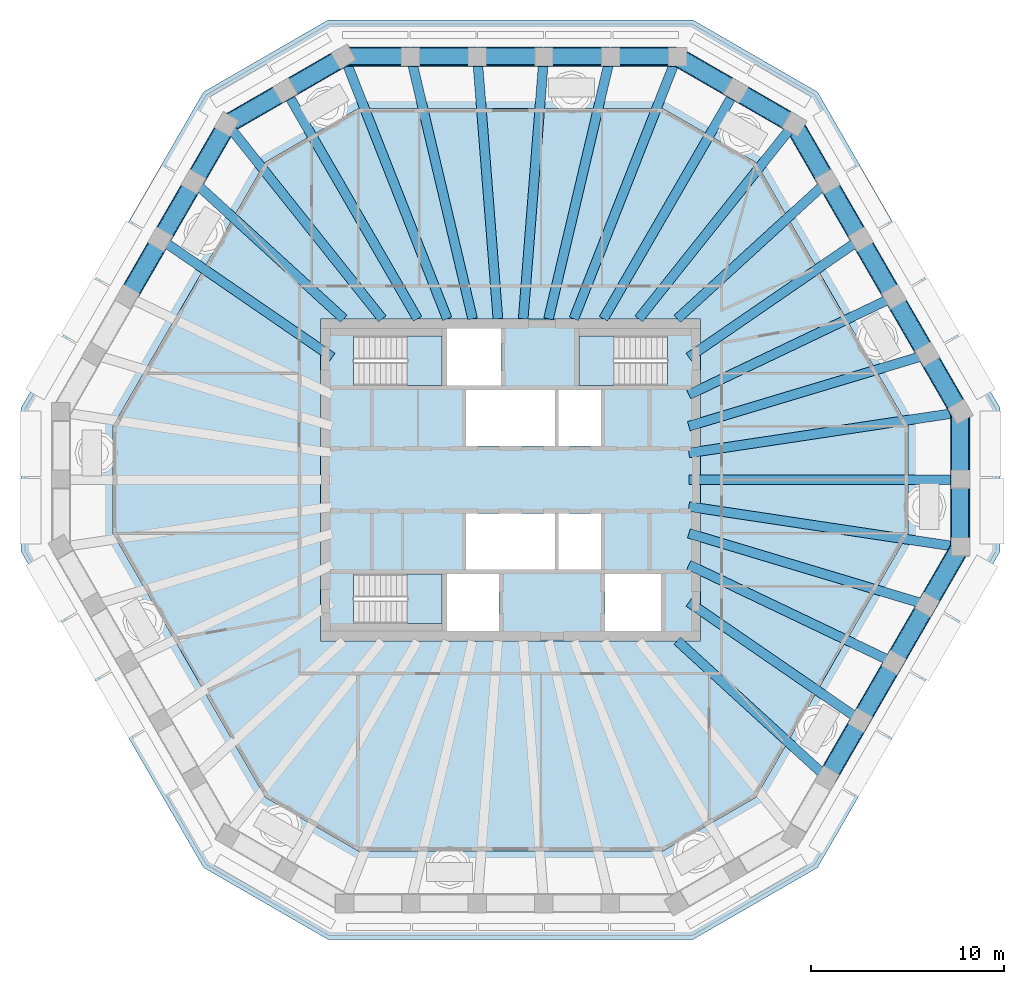
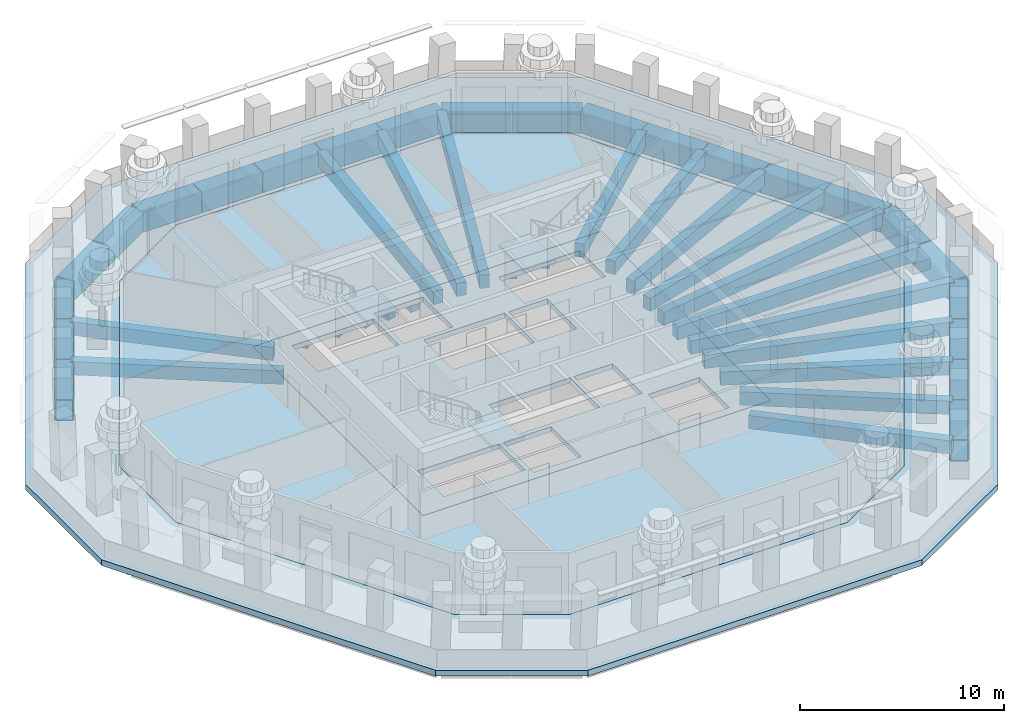
# One storey, part 2 of 13: 46 beams, 6 slabs, 3 elements without a shape of their own.
"""IFC4 building model written with IfcOpenShell, lengths in metres."""

from ifc_helpers import new_model, si_unit, direction, frame, origin, origin_2d, place, context, subcontext, project, spatial, polyline, rectangle, hollow_rectangle, outline, extrude, material, layer, layer_set, material_profile, profile_set, type_object, element, aggregate, save


model = new_model("IFC4")

# Units and contexts
model_context = context("Model", 3, precision=1e-05, world=origin(), true_north=direction((0.0, 1.0)))
body_context = subcontext(model_context, "Body", "Model", "MODEL_VIEW")
ifc_project = project(units=[si_unit("LENGTHUNIT", "METRE"), si_unit("AREAUNIT", "SQUARE_METRE"), si_unit("VOLUMEUNIT", "CUBIC_METRE"), si_unit("PLANEANGLEUNIT", "RADIAN"), si_unit("MASSUNIT", "GRAM", prefix="KILO")], contexts=[model_context])

# Site, building, storey
site_placement = place(None, origin())
site = spatial("IfcSite", under=ifc_project, at=site_placement, CompositionType="ELEMENT")
building_placement = place(site_placement, origin())
building = spatial("IfcBuilding", under=site, at=building_placement, Name="Frailejon Research Tower", CompositionType="ELEMENT")
storey_placement = place(building_placement, frame((0.0, 0.0, 263.0)))
storey = spatial("IfcBuildingStorey", under=building, at=storey_placement, Name="L57", CompositionType="ELEMENT", Elevation=263.0)

# Beams
ifc_material_1 = material(Name="Steel S355", Category="steel")
ifc_material_profile_1 = material_profile(ifc_material_1, hollow_rectangle(XDim=1.0, YDim=1.300048828125, WallThickness=0.06005859375, InnerFilletRadius=0.06005859375, OuterFilletRadius=0.1201171875, at=origin_2d()), Name="Belt chord")
ifc_profile_set_1 = profile_set([ifc_material_profile_1], Name="Steel S355")
beam_type_1 = type_object("IfcBeamType", Name="Belt chord", PredefinedType="BEAM", material=ifc_profile_set_1)
for number, where, z_axis, x_axis, name in (
    (1, (23.32373046875, -3.48193359375, -1.0), (0.0, 1.0, 0.0), (-1.0, 0.0, 0.0), "Belt chord"),
    (2, (23.32373046875, 0.02001953125, -1.0), (0.0, 1.0, 0.0), (-1.0, 0.0, 0.0), "Belt chord"),
):
    element("IfcBeam", number, at=place(storey_placement, frame(where, z_axis=z_axis, x_axis=x_axis)), inside=storey, type_object=beam_type_1, Name=name, PredefinedType="BEAM", context=body_context, shape_type="SweptSolid", body=[
        extrude(hollow_rectangle(XDim=1.0, YDim=1.300048828125, WallThickness=0.06005859375, InnerFilletRadius=0.06005859375, OuterFilletRadius=0.1201171875, at=origin_2d()), origin(), (0.0, 0.0, 1.0), 3.4619140625),
    ])
for number, where, z_axis, x_axis, name in (
    (3, (23.313720703125, 3.519287109375, -1.0), (-0.499995010897, 0.866028284225, 0.0), (-0.866028284225, -0.499995010897, 0.0), "Belt chord"),
    (4, (21.587890625, 6.508544921875, -1.0), (-0.499995010897, 0.866028284225, 0.0), (-0.866028284225, -0.499995010897, 0.0), "Belt chord"),
):
    element("IfcBeam", number, at=place(storey_placement, frame(where, z_axis=z_axis, x_axis=x_axis)), inside=storey, type_object=beam_type_1, Name=name, PredefinedType="BEAM", context=body_context, shape_type="SweptSolid", body=[
        extrude(hollow_rectangle(XDim=1.0, YDim=1.300048828125, WallThickness=0.06005859375, InnerFilletRadius=0.06005859375, OuterFilletRadius=0.1201171875, at=origin_2d()), origin(), (0.0, 0.0, 1.0), 3.41162109375),
    ])
beam_1_placement = place(storey_placement, frame((19.8623046875, 9.497802734375, -1.0), z_axis=(-0.500048678942, 0.86599729716, 0.0), x_axis=(-0.86599729716, -0.500048678942, 0.0)))
element("IfcBeam", 5, at=beam_1_placement, inside=storey, type_object=beam_type_1, Name="Belt chord", PredefinedType="BEAM", context=body_context, shape_type="SweptSolid", body=[
    extrude(hollow_rectangle(XDim=1.0, YDim=1.300048828125, WallThickness=0.06005859375, InnerFilletRadius=0.06005859375, OuterFilletRadius=0.1201171875, at=origin_2d()), origin(), (0.0, 0.0, 1.0), 3.411865234375),
])
for number, where, z_axis, x_axis, name in (
    (6, (18.13623046875, 12.48681640625, -1.0), (-0.499995010897, 0.866028284225, 0.0), (-0.866028284225, -0.499995010897, 0.0), "Belt chord"),
    (7, (16.410400390625, 15.47607421875, -1.0), (-0.499995010897, 0.866028284225, 0.0), (-0.866028284225, -0.499995010897, 0.0), "Belt chord"),
):
    element("IfcBeam", number, at=place(storey_placement, frame(where, z_axis=z_axis, x_axis=x_axis)), inside=storey, type_object=beam_type_1, Name=name, PredefinedType="BEAM", context=body_context, shape_type="SweptSolid", body=[
        extrude(hollow_rectangle(XDim=1.0, YDim=1.300048828125, WallThickness=0.06005859375, InnerFilletRadius=0.06005859375, OuterFilletRadius=0.1201171875, at=origin_2d()), origin(), (0.0, 0.0, 1.0), 3.41162109375),
    ])
beam_2_placement = place(storey_placement, frame((14.677490234375, 18.4580078125, -1.0), z_axis=(-0.866038798027, 0.499976799773, 0.0), x_axis=(-0.499976799773, -0.866038798027, 0.0)))
element("IfcBeam", 8, at=beam_2_placement, inside=storey, type_object=beam_type_1, Name="Belt chord", PredefinedType="BEAM", context=body_context, shape_type="SweptSolid", body=[
    extrude(hollow_rectangle(XDim=1.0, YDim=1.300048828125, WallThickness=0.06005859375, InnerFilletRadius=0.06005859375, OuterFilletRadius=0.1201171875, at=origin_2d()), origin(), (0.0, 0.0, 1.0), 3.462158203125),
])
beam_3_placement = place(storey_placement, frame((11.64453125, 20.208984375, -1.0), z_axis=(-0.866021168401, 0.500007335828, 0.0), x_axis=(-0.500007335828, -0.866021168401, 0.0)))
element("IfcBeam", 9, at=beam_3_placement, inside=storey, type_object=beam_type_1, Name="Belt chord", PredefinedType="BEAM", context=body_context, shape_type="SweptSolid", body=[
    extrude(hollow_rectangle(XDim=1.0, YDim=1.300048828125, WallThickness=0.06005859375, InnerFilletRadius=0.06005859375, OuterFilletRadius=0.1201171875, at=origin_2d()), origin(), (0.0, 0.0, 1.0), 3.4619140625),
])
for number, where, z_axis, x_axis, name in (
    (10, (8.609130859375, 21.949951171875, -1.0), (-1.0, 0.0, 0.0), (0.0, -1.0, 0.0), "Belt chord"),
    (11, (5.157470703125, 21.949951171875, -1.0), (-1.0, 0.0, 0.0), (0.0, -1.0, 0.0), "Belt chord"),
    (12, (1.705810546875, 21.949951171875, -1.0), (-1.0, 0.0, 0.0), (0.0, -1.0, 0.0), "Belt chord"),
    (13, (-1.745849609375, 21.949951171875, -1.0), (-1.0, 0.0, 0.0), (0.0, -1.0, 0.0), "Belt chord"),
    (14, (-5.197509765625, 21.949951171875, -1.0), (-1.0, 0.0, 0.0), (0.0, -1.0, 0.0), "Belt chord"),
):
    element("IfcBeam", number, at=place(storey_placement, frame(where, z_axis=z_axis, x_axis=x_axis)), inside=storey, type_object=beam_type_1, Name=name, PredefinedType="BEAM", context=body_context, shape_type="SweptSolid", body=[
        extrude(hollow_rectangle(XDim=1.0, YDim=1.300048828125, WallThickness=0.06005859375, InnerFilletRadius=0.06005859375, OuterFilletRadius=0.1201171875, at=origin_2d()), origin(), (0.0, 0.0, 1.0), 3.41162109375),
    ])
beam_4_placement = place(storey_placement, frame((-8.646484375, 21.93994140625, -1.0), z_axis=(-0.866021168401, -0.500007335828, 0.0), x_axis=(0.500007335828, -0.866021168401, 0.0)))
element("IfcBeam", 15, at=beam_4_placement, inside=storey, type_object=beam_type_1, Name="Belt chord", PredefinedType="BEAM", context=body_context, shape_type="SweptSolid", body=[
    extrude(hollow_rectangle(XDim=1.0, YDim=1.300048828125, WallThickness=0.06005859375, InnerFilletRadius=0.06005859375, OuterFilletRadius=0.1201171875, at=origin_2d()), origin(), (0.0, 0.0, 1.0), 3.4619140625),
])
beam_5_placement = place(storey_placement, frame((-11.67919921875, 20.18896484375, -1.0), z_axis=(-0.866038798027, -0.499976799773, 0.0), x_axis=(0.499976799773, -0.866038798027, 0.0)))
element("IfcBeam", 16, at=beam_5_placement, inside=storey, type_object=beam_type_1, Name="Belt chord", PredefinedType="BEAM", context=body_context, shape_type="SweptSolid", body=[
    extrude(hollow_rectangle(XDim=1.0, YDim=1.300048828125, WallThickness=0.06005859375, InnerFilletRadius=0.06005859375, OuterFilletRadius=0.1201171875, at=origin_2d()), origin(), (0.0, 0.0, 1.0), 3.462158203125),
])
for number, where, z_axis, x_axis, name in (
    (17, (-14.70458984375, 18.4306640625, -1.0), (-0.499995010897, -0.866028284225, 0.0), (0.866028284225, -0.499995010897, 0.0), "Belt chord"),
    (18, (-16.430419921875, 15.44140625, -1.0), (-0.499995010897, -0.866028284225, 0.0), (0.866028284225, -0.499995010897, 0.0), "Belt chord"),
):
    element("IfcBeam", number, at=place(storey_placement, frame(where, z_axis=z_axis, x_axis=x_axis)), inside=storey, type_object=beam_type_1, Name=name, PredefinedType="BEAM", context=body_context, shape_type="SweptSolid", body=[
        extrude(hollow_rectangle(XDim=1.0, YDim=1.300048828125, WallThickness=0.06005859375, InnerFilletRadius=0.06005859375, OuterFilletRadius=0.1201171875, at=origin_2d()), origin(), (0.0, 0.0, 1.0), 3.41162109375),
    ])
beam_6_placement = place(storey_placement, frame((-18.15625, 12.452392578125, -1.0), z_axis=(-0.500048678942, -0.86599729716, 0.0), x_axis=(0.86599729716, -0.500048678942, 0.0)))
element("IfcBeam", 19, at=beam_6_placement, inside=storey, type_object=beam_type_1, Name="Belt chord", PredefinedType="BEAM", context=body_context, shape_type="SweptSolid", body=[
    extrude(hollow_rectangle(XDim=1.0, YDim=1.300048828125, WallThickness=0.06005859375, InnerFilletRadius=0.06005859375, OuterFilletRadius=0.1201171875, at=origin_2d()), origin(), (0.0, 0.0, 1.0), 3.411865234375),
])
beam_7_placement = place(storey_placement, frame((16.430419921875, -15.44140625, -1.0), z_axis=(0.499995010897, 0.866028284225, 0.0), x_axis=(-0.866028284225, 0.499995010897, 0.0)))
element("IfcBeam", 20, at=beam_7_placement, inside=storey, type_object=beam_type_1, Name="Belt chord", PredefinedType="BEAM", context=body_context, shape_type="SweptSolid", body=[
    extrude(hollow_rectangle(XDim=1.0, YDim=1.300048828125, WallThickness=0.06005859375, InnerFilletRadius=0.06005859375, OuterFilletRadius=0.1201171875, at=origin_2d()), origin(), (0.0, 0.0, 1.0), 3.41162109375),
])
beam_8_placement = place(storey_placement, frame((18.15625, -12.452392578125, -1.0), z_axis=(0.500048678942, 0.86599729716, 0.0), x_axis=(-0.86599729716, 0.500048678942, 0.0)))
element("IfcBeam", 21, at=beam_8_placement, inside=storey, type_object=beam_type_1, Name="Belt chord", PredefinedType="BEAM", context=body_context, shape_type="SweptSolid", body=[
    extrude(hollow_rectangle(XDim=1.0, YDim=1.300048828125, WallThickness=0.06005859375, InnerFilletRadius=0.06005859375, OuterFilletRadius=0.1201171875, at=origin_2d()), origin(), (0.0, 0.0, 1.0), 3.411865234375),
])
for number, where, z_axis, x_axis, name in (
    (22, (19.882080078125, -9.463134765625, -1.0), (0.499995010897, 0.866028284225, 0.0), (-0.866028284225, 0.499995010897, 0.0), "Belt chord"),
    (23, (21.60791015625, -6.473876953125, -1.0), (0.499995010897, 0.866028284225, 0.0), (-0.866028284225, 0.499995010897, 0.0), "Belt chord"),
):
    element("IfcBeam", number, at=place(storey_placement, frame(where, z_axis=z_axis, x_axis=x_axis)), inside=storey, type_object=beam_type_1, Name=name, PredefinedType="BEAM", context=body_context, shape_type="SweptSolid", body=[
        extrude(hollow_rectangle(XDim=1.0, YDim=1.300048828125, WallThickness=0.06005859375, InnerFilletRadius=0.06005859375, OuterFilletRadius=0.1201171875, at=origin_2d()), origin(), (0.0, 0.0, 1.0), 3.41162109375),
    ])
ifc_material_2 = material(Name="Concrete C60/75", Category="concrete")
ifc_material_profile_2 = material_profile(ifc_material_2, rectangle(XDim=0.5, YDim=0.800048828125, at=origin_2d()), Name="Girder 500x800")
ifc_profile_set_2 = profile_set([ifc_material_profile_2], Name="Concrete C60/75")
beam_type_2 = type_object("IfcBeamType", Name="Girder 500x800", PredefinedType="BEAM", material=ifc_profile_set_2)
beam_9_placement = place(storey_placement, frame((22.9970703125, -3.452880859375, -0.699951171875), z_axis=(-0.988916247685, 0.148474425622, 0.0), x_axis=(-0.148474425622, -0.988916247685, 0.0)))
element("IfcBeam", 24, at=beam_9_placement, inside=storey, type_object=beam_type_2, Name="Girder 500x800", PredefinedType="BEAM", context=body_context, shape_type="SweptSolid", body=[
    extrude(rectangle(XDim=0.5, YDim=0.800048828125, at=origin_2d()), origin(), (0.0, 0.0, 1.0), 13.901123046875),
])
beam_10_placement = place(storey_placement, frame((22.998779296875, 0.0, -0.699951171875), z_axis=(-1.0, 0.0, 0.0), x_axis=(0.0, -1.0, 0.0)))
element("IfcBeam", 25, at=beam_10_placement, inside=storey, type_object=beam_type_2, Name="Girder 500x800", PredefinedType="BEAM", context=body_context, shape_type="SweptSolid", body=[
    extrude(rectangle(XDim=0.5, YDim=0.800048828125, at=origin_2d()), origin(), (0.0, 0.0, 1.0), 13.748779296875),
])
beam_11_placement = place(storey_placement, frame((22.96728515625, 3.448486328125, -0.699951171875), z_axis=(-0.988915428707, -0.148479880336, 0.0), x_axis=(0.148479880336, -0.988915428707, 0.0)))
element("IfcBeam", 26, at=beam_11_placement, inside=storey, type_object=beam_type_2, Name="Girder 500x800", PredefinedType="BEAM", context=body_context, shape_type="SweptSolid", body=[
    extrude(rectangle(XDim=0.5, YDim=0.800048828125, at=origin_2d()), origin(), (0.0, 0.0, 1.0), 13.87109375),
])
beam_12_placement = place(storey_placement, frame((21.2744140625, 6.393798828125, -0.699951171875), z_axis=(-0.957684883989, -0.287818802339, 0.0), x_axis=(0.287818802339, -0.957684883989, 0.0)))
element("IfcBeam", 27, at=beam_12_placement, inside=storey, type_object=beam_type_2, Name="Girder 500x800", PredefinedType="BEAM", context=body_context, shape_type="SweptSolid", body=[
    extrude(rectangle(XDim=0.5, YDim=0.800048828125, at=origin_2d()), origin(), (0.0, 0.0, 1.0), 12.5556640625),
])
beam_13_placement = place(storey_placement, frame((19.577392578125, 9.33984375, -0.699951171875), z_axis=(-0.90254832105, -0.430588583417, 0.0), x_axis=(0.430588583417, -0.90254832105, 0.0)))
element("IfcBeam", 28, at=beam_13_placement, inside=storey, type_object=beam_type_2, Name="Girder 500x800", PredefinedType="BEAM", context=body_context, shape_type="SweptSolid", body=[
    extrude(rectangle(XDim=0.5, YDim=0.800048828125, at=origin_2d()), origin(), (0.0, 0.0, 1.0), 11.4423828125),
])
beam_14_placement = place(storey_placement, frame((17.877197265625, 12.28466796875, -0.699951171875), z_axis=(-0.82416371662, -0.566351629473, 0.0), x_axis=(0.566351629473, -0.82416371662, 0.0)))
element("IfcBeam", 29, at=beam_14_placement, inside=storey, type_object=beam_type_2, Name="Girder 500x800", PredefinedType="BEAM", context=body_context, shape_type="SweptSolid", body=[
    extrude(rectangle(XDim=0.5, YDim=0.800048828125, at=origin_2d()), origin(), (0.0, 0.0, 1.0), 10.4677734375),
])
beam_15_placement = place(storey_placement, frame((16.17236328125, 15.231689453125, -0.699951171875), z_axis=(-0.737837636793, -0.674978237969, 0.0), x_axis=(0.674978237969, -0.737837636793, 0.0)))
element("IfcBeam", 30, at=beam_15_placement, inside=storey, type_object=beam_type_2, Name="Girder 500x800", PredefinedType="BEAM", context=body_context, shape_type="SweptSolid", body=[
    extrude(rectangle(XDim=0.5, YDim=0.800048828125, at=origin_2d()), origin(), (0.0, 0.0, 1.0), 10.1953125),
])
beam_16_placement = place(storey_placement, frame((14.489013671875, 18.189697265625, -0.699951171875), z_axis=(-0.623055876427, -0.782177329542, 0.0), x_axis=(0.782177329542, -0.623055876427, 0.0)))
element("IfcBeam", 31, at=beam_16_placement, inside=storey, type_object=beam_type_2, Name="Girder 500x800", PredefinedType="BEAM", context=body_context, shape_type="SweptSolid", body=[
    extrude(rectangle(XDim=0.5, YDim=0.800048828125, at=origin_2d()), origin(), (0.0, 0.0, 1.0), 12.579833984375),
])
beam_17_placement = place(storey_placement, frame((11.49951171875, 19.91748046875, -0.699951171875), z_axis=(-0.500015685897, -0.866016347338, 0.0), x_axis=(0.866016347338, -0.500015685897, 0.0)))
element("IfcBeam", 32, at=beam_17_placement, inside=storey, type_object=beam_type_2, Name="Girder 500x800", PredefinedType="BEAM", context=body_context, shape_type="SweptSolid", body=[
    extrude(rectangle(XDim=0.5, YDim=0.800048828125, at=origin_2d()), origin(), (0.0, 0.0, 1.0), 13.35693359375),
])
beam_18_placement = place(storey_placement, frame((8.497314453125, 21.614501953125, -0.699951171875), z_axis=(-0.36587018222, -0.930665895884, 0.0), x_axis=(0.930665895884, -0.36587018222, 0.0)))
element("IfcBeam", 33, at=beam_18_placement, inside=storey, type_object=beam_type_2, Name="Girder 500x800", PredefinedType="BEAM", context=body_context, shape_type="SweptSolid", body=[
    extrude(rectangle(XDim=0.5, YDim=0.800048828125, at=origin_2d()), origin(), (0.0, 0.0, 1.0), 14.252685546875),
])
beam_19_placement = place(storey_placement, frame((5.099853515625, 21.62109375, -0.699951171875), z_axis=(-0.229580210899, -0.973289744507, 0.0), x_axis=(0.973289744507, -0.229580210899, 0.0)))
element("IfcBeam", 34, at=beam_19_placement, inside=storey, type_object=beam_type_2, Name="Girder 500x800", PredefinedType="BEAM", context=body_context, shape_type="SweptSolid", body=[
    extrude(rectangle(XDim=0.5, YDim=0.800048828125, at=origin_2d()), origin(), (0.0, 0.0, 1.0), 13.63525390625),
])
for number, where, z_axis, x_axis, name in (
    (35, (1.7001953125, 21.62451171875, -0.699951171875), (-0.078383122753, -0.996923310023, 0.0), (0.996923310023, -0.078383122753, 0.0), "Girder 500x800"),
    (36, (-1.7001953125, 21.62451171875, -0.699951171875), (0.078383122753, -0.996923310023, 0.0), (0.996923310023, 0.078383122753, 0.0), "Girder 500x800"),
):
    element("IfcBeam", number, at=place(storey_placement, frame(where, z_axis=z_axis, x_axis=x_axis)), inside=storey, type_object=beam_type_2, Name=name, PredefinedType="BEAM", context=body_context, shape_type="SweptSolid", body=[
        extrude(rectangle(XDim=0.5, YDim=0.800048828125, at=origin_2d()), origin(), (0.0, 0.0, 1.0), 13.3154296875),
    ])
beam_20_placement = place(storey_placement, frame((-5.099853515625, 21.62109375, -0.699951171875), z_axis=(0.229580210899, -0.973289744507, 0.0), x_axis=(0.973289744507, 0.229580210899, 0.0)))
element("IfcBeam", 37, at=beam_20_placement, inside=storey, type_object=beam_type_2, Name="Girder 500x800", PredefinedType="BEAM", context=body_context, shape_type="SweptSolid", body=[
    extrude(rectangle(XDim=0.5, YDim=0.800048828125, at=origin_2d()), origin(), (0.0, 0.0, 1.0), 13.63525390625),
])
beam_21_placement = place(storey_placement, frame((-8.50830078125, 21.642578125, -0.699951171875), z_axis=(0.36586707843, -0.930667116063, 0.0), x_axis=(0.930667116063, 0.36586707843, 0.0)))
element("IfcBeam", 38, at=beam_21_placement, inside=storey, type_object=beam_type_2, Name="Girder 500x800", PredefinedType="BEAM", context=body_context, shape_type="SweptSolid", body=[
    extrude(rectangle(XDim=0.5, YDim=0.800048828125, at=origin_2d()), origin(), (0.0, 0.0, 1.0), 14.28271484375),
])
beam_22_placement = place(storey_placement, frame((-11.49951171875, 19.91748046875, -0.699951171875), z_axis=(0.500015685897, -0.866016347338, 0.0), x_axis=(0.866016347338, 0.500015685897, 0.0)))
element("IfcBeam", 39, at=beam_22_placement, inside=storey, type_object=beam_type_2, Name="Girder 500x800", PredefinedType="BEAM", context=body_context, shape_type="SweptSolid", body=[
    extrude(rectangle(XDim=0.5, YDim=0.800048828125, at=origin_2d()), origin(), (0.0, 0.0, 1.0), 13.35693359375),
])
beam_23_placement = place(storey_placement, frame((-14.47021484375, 18.166015625, -0.699951171875), z_axis=(0.623059053129, -0.782174799079, 0.0), x_axis=(0.782174799079, 0.623059053129, 0.0)))
element("IfcBeam", 40, at=beam_23_placement, inside=storey, type_object=beam_type_2, Name="Girder 500x800", PredefinedType="BEAM", context=body_context, shape_type="SweptSolid", body=[
    extrude(rectangle(XDim=0.5, YDim=0.800048828125, at=origin_2d()), origin(), (0.0, 0.0, 1.0), 12.549560546875),
])
beam_24_placement = place(storey_placement, frame((-16.17236328125, 15.231689453125, -0.699951171875), z_axis=(0.737837636793, -0.674978237969, 0.0), x_axis=(0.674978237969, 0.737837636793, 0.0)))
element("IfcBeam", 41, at=beam_24_placement, inside=storey, type_object=beam_type_2, Name="Girder 500x800", PredefinedType="BEAM", context=body_context, shape_type="SweptSolid", body=[
    extrude(rectangle(XDim=0.5, YDim=0.800048828125, at=origin_2d()), origin(), (0.0, 0.0, 1.0), 10.1953125),
])
beam_25_placement = place(storey_placement, frame((-17.877197265625, 12.28466796875, -0.699951171875), z_axis=(0.82416371662, -0.566351629473, 0.0), x_axis=(0.566351629473, 0.82416371662, 0.0)))
element("IfcBeam", 42, at=beam_25_placement, inside=storey, type_object=beam_type_2, Name="Girder 500x800", PredefinedType="BEAM", context=body_context, shape_type="SweptSolid", body=[
    extrude(rectangle(XDim=0.5, YDim=0.800048828125, at=origin_2d()), origin(), (0.0, 0.0, 1.0), 10.4677734375),
])
beam_26_placement = place(storey_placement, frame((16.17236328125, -15.231689453125, -0.699951171875), z_axis=(-0.737837636793, 0.674978237969, 0.0), x_axis=(-0.674978237969, -0.737837636793, 0.0)))
element("IfcBeam", 43, at=beam_26_placement, inside=storey, type_object=beam_type_2, Name="Girder 500x800", PredefinedType="BEAM", context=body_context, shape_type="SweptSolid", body=[
    extrude(rectangle(XDim=0.5, YDim=0.800048828125, at=origin_2d()), origin(), (0.0, 0.0, 1.0), 10.1953125),
])
beam_27_placement = place(storey_placement, frame((17.877197265625, -12.28466796875, -0.699951171875), z_axis=(-0.82416371662, 0.566351629473, 0.0), x_axis=(-0.566351629473, -0.82416371662, 0.0)))
element("IfcBeam", 44, at=beam_27_placement, inside=storey, type_object=beam_type_2, Name="Girder 500x800", PredefinedType="BEAM", context=body_context, shape_type="SweptSolid", body=[
    extrude(rectangle(XDim=0.5, YDim=0.800048828125, at=origin_2d()), origin(), (0.0, 0.0, 1.0), 10.4677734375),
])
beam_28_placement = place(storey_placement, frame((19.577392578125, -9.33984375, -0.699951171875), z_axis=(-0.90254832105, 0.430588583417, 0.0), x_axis=(-0.430588583417, -0.90254832105, 0.0)))
element("IfcBeam", 45, at=beam_28_placement, inside=storey, type_object=beam_type_2, Name="Girder 500x800", PredefinedType="BEAM", context=body_context, shape_type="SweptSolid", body=[
    extrude(rectangle(XDim=0.5, YDim=0.800048828125, at=origin_2d()), origin(), (0.0, 0.0, 1.0), 11.4423828125),
])
beam_29_placement = place(storey_placement, frame((21.2744140625, -6.393798828125, -0.699951171875), z_axis=(-0.957684883989, 0.287818802339, 0.0), x_axis=(-0.287818802339, -0.957684883989, 0.0)))
element("IfcBeam", 46, at=beam_29_placement, inside=storey, type_object=beam_type_2, Name="Girder 500x800", PredefinedType="BEAM", context=body_context, shape_type="SweptSolid", body=[
    extrude(rectangle(XDim=0.5, YDim=0.800048828125, at=origin_2d()), origin(), (0.0, 0.0, 1.0), 12.5556640625),
])

# Slabs
ifc_material_3 = material(Name="Concrete C50/60", Category="concrete")
ifc_layer_1 = layer(ifc_material_3, 0.300048828125)
ifc_layer_set_1 = layer_set([ifc_layer_1], Name="Core floor slab 300 C50/60")
slab_type_1 = type_object("IfcSlabType", Name="Core floor slab 300 C50/60", PredefinedType="FLOOR", material=ifc_layer_set_1)
slab_1_placement = place(storey_placement, frame((0.0, 0.0, -0.300048828125)))
element("IfcSlab", 47, at=slab_1_placement, inside=storey, type_object=slab_type_1, Name="Core floor slab", PredefinedType="FLOOR", context=body_context, shape_type="SweptSolid", body=[
    extrude(outline(polyline([(9.85009765625, -8.35009765625), (9.85009765625, 8.35009765625), (-9.85009765625, 8.35009765625), (-9.85009765625, -8.35009765625), (9.85009765625, -8.35009765625)]), holes=[polyline([(2.300048828125, 1.75), (2.300048828125, 4.64990234375), (-2.300048828125, 4.64990234375), (-2.300048828125, 1.75), (2.300048828125, 1.75)]), polyline([(4.699951171875, 1.75), (4.699951171875, 4.64990234375), (2.5, 4.64990234375), (2.5, 1.75), (4.699951171875, 1.75)]), polyline([(2.300048828125, -4.64990234375), (2.300048828125, -1.75), (-2.300048828125, -1.75), (-2.300048828125, -4.64990234375), (2.300048828125, -4.64990234375)]), polyline([(4.699951171875, -4.64990234375), (4.699951171875, -1.75), (2.5, -1.75), (2.5, -4.64990234375), (4.699951171875, -4.64990234375)]), polyline([(-8.14697265625, 4.89990234375), (-3.550048828125, 4.89990234375), (-3.550048828125, 7.449951171875), (-8.14697265625, 7.449951171875), (-8.14697265625, 4.89990234375)]), polyline([(-8.14697265625, -7.449951171875), (-3.550048828125, -7.449951171875), (-3.550048828125, -4.89990234375), (-8.14697265625, -4.89990234375), (-8.14697265625, -7.449951171875)]), polyline([(8.14697265625, 7.449951171875), (3.550048828125, 7.449951171875), (3.550048828125, 4.89990234375), (8.14697265625, 4.89990234375), (8.14697265625, 7.449951171875)]), polyline([(-0.60009765625, -7.85009765625), (-0.60009765625, -4.89990234375), (-3.300048828125, -4.89990234375), (-3.300048828125, -7.85009765625), (-0.60009765625, -7.85009765625)]), polyline([(7.800048828125, -7.85009765625), (7.800048828125, -4.89990234375), (4.89990234375, -4.89990234375), (4.89990234375, -7.85009765625), (7.800048828125, -7.85009765625)]), polyline([(-0.5, 4.89990234375), (-0.5, 7.85009765625), (-3.300048828125, 7.85009765625), (-3.300048828125, 4.89990234375), (-0.5, 4.89990234375)])]), origin(), (0.0, 0.0, 1.0), 0.300048828125),
])
ifc_material_4 = material(Name="Concrete C40/50", Category="concrete")
ifc_layer_2 = layer(ifc_material_4, 0.35009765625)
ifc_layer_set_2 = layer_set([ifc_layer_2], Name="Setback terrace slab 350")
slab_type_2 = type_object("IfcSlabType", Name="Setback terrace slab 350", PredefinedType="ROOF", material=ifc_layer_set_2)
slab_2_placement = place(storey_placement, frame((0.0, 0.0, -0.35009765625)))
element("IfcSlab", 48, at=slab_2_placement, inside=storey, type_object=slab_type_2, Name="Setback terrace slab L57", PredefinedType="ROOF", context=body_context, shape_type="SweptSolid", body=[
    extrude(outline(polyline([(15.925048828125, -20.1171875), (9.45947265625, -23.85009765625), (-9.45947265625, -23.85009765625), (-15.925048828125, -20.1171875), (-25.384521484375, -3.73291015625), (-25.384521484375, 3.73291015625), (-15.925048828125, 20.1171875), (-9.45947265625, 23.85009765625), (9.45947265625, 23.85009765625), (15.925048828125, 20.1171875), (25.384521484375, 3.73291015625), (25.384521484375, -3.73291015625), (15.925048828125, -20.1171875)]), holes=[polyline([(20.623779296875, 2.778564453125), (12.71826171875, 16.471435546875), (7.90576171875, 19.25), (-7.90576171875, 19.25), (-12.71826171875, 16.471435546875), (-20.623779296875, 2.778564453125), (-20.623779296875, -2.778564453125), (-12.71826171875, -16.471435546875), (-7.90576171875, -19.25), (7.90576171875, -19.25), (12.71826171875, -16.471435546875), (20.623779296875, -2.778564453125), (20.623779296875, 2.778564453125)])]), origin(), (0.0, 0.0, 1.0), 0.35009765625),
])
ifc_material_5 = material(Name="Concrete C40/50", Category="concrete")
ifc_layer_3 = layer(ifc_material_5, 0.300048828125)
ifc_layer_set_3 = layer_set([ifc_layer_3], Name="Slab typical 300")
slab_type_3 = type_object("IfcSlabType", Name="Slab typical 300", PredefinedType="FLOOR", material=ifc_layer_set_3)
slab_3_placement = place(storey_placement, frame((0.0, 0.0, -0.300048828125)))
element("IfcSlab", 49, at=slab_3_placement, inside=storey, type_object=slab_type_3, Name="Floor slab L57", PredefinedType="FLOOR", context=body_context, shape_type="SweptSolid", body=[
    extrude(outline(polyline([(20.623779296875, -2.778564453125), (20.623779296875, 2.778564453125), (12.71826171875, 16.471435546875), (7.90576171875, 19.25), (-7.90576171875, 19.25), (-12.71826171875, 16.471435546875), (-20.623779296875, 2.778564453125), (-20.623779296875, -2.778564453125), (-12.71826171875, -16.471435546875), (-7.90576171875, -19.25), (7.90576171875, -19.25), (12.71826171875, -16.471435546875), (20.623779296875, -2.778564453125)]), holes=[polyline([(9.25, 8.35009765625), (9.85009765625, 8.35009765625), (9.85009765625, -8.35009765625), (9.25, -8.35009765625), (-9.25, -8.35009765625), (-9.85009765625, -8.35009765625), (-9.85009765625, 8.35009765625), (-9.25, 8.35009765625), (9.25, 8.35009765625)])]), origin(), (0.0, 0.0, 1.0), 0.300048828125),
])

# Stair, slab
ifc_material_6 = material(Name="Concrete C50/60", Category="concrete")
stair_type = type_object("IfcStairType", Name="Exit stair 22 risers", PredefinedType="HALF_TURN_STAIR", material=ifc_material_6)
stair_1_placement = place(storey_placement, origin())
stair_1 = element("IfcStair", 50, at=stair_1_placement, inside=storey, type_object=stair_type, Name="L57 Exit stair ST1", PredefinedType="HALF_TURN_STAIR")
ifc_material_7 = material(Name="Concrete C50/60", Category="concrete")
ifc_layer_4 = layer(ifc_material_7, 0.199951171875)
ifc_layer_set_4 = layer_set([ifc_layer_4], Name="Stair landing slab 200")
slab_type_4 = type_object("IfcSlabType", Name="Stair landing slab 200", PredefinedType="LANDING", material=ifc_layer_set_4)
slab_4_placement = place(storey_placement, frame((0.0, 0.0, 1.800048828125)))
slab_4 = element("IfcSlab", 51, at=slab_4_placement, type_object=slab_type_4, Name="ST1 landing 1", PredefinedType="LANDING", context=body_context, shape_type="SweptSolid", body=[
    extrude(outline(polyline([(-5.35009765625, 4.89990234375), (-3.550048828125, 4.89990234375), (-3.550048828125, 7.449951171875), (-5.35009765625, 7.449951171875), (-5.35009765625, 4.89990234375)])), origin(), (0.0, 0.0, 1.0), 0.199951171875),
])
aggregate(stair_1, [slab_4])

stair_2_placement = place(storey_placement, origin())
stair_2 = element("IfcStair", 52, at=stair_2_placement, inside=storey, type_object=stair_type, Name="L57 Exit stair ST2", PredefinedType="HALF_TURN_STAIR")
slab_5_placement = place(storey_placement, frame((0.0, 0.0, 1.800048828125)))
slab_5 = element("IfcSlab", 53, at=slab_5_placement, type_object=slab_type_4, Name="ST2 landing 1", PredefinedType="LANDING", context=body_context, shape_type="SweptSolid", body=[
    extrude(outline(polyline([(-5.35009765625, -7.449951171875), (-3.550048828125, -7.449951171875), (-3.550048828125, -4.89990234375), (-5.35009765625, -4.89990234375), (-5.35009765625, -7.449951171875)])), origin(), (0.0, 0.0, 1.0), 0.199951171875),
])
aggregate(stair_2, [slab_5])

stair_3_placement = place(storey_placement, origin())
stair_3 = element("IfcStair", 54, at=stair_3_placement, inside=storey, type_object=stair_type, Name="L57 Exit stair ST3", PredefinedType="HALF_TURN_STAIR")
slab_6_placement = place(storey_placement, frame((0.0, 0.0, 1.800048828125)))
slab_6 = element("IfcSlab", 55, at=slab_6_placement, type_object=slab_type_4, Name="ST3 landing 1", PredefinedType="LANDING", context=body_context, shape_type="SweptSolid", body=[
    extrude(outline(polyline([(5.35009765625, 7.449951171875), (3.550048828125, 7.449951171875), (3.550048828125, 4.89990234375), (5.35009765625, 4.89990234375), (5.35009765625, 7.449951171875)])), origin(), (0.0, 0.0, 1.0), 0.199951171875),
])
aggregate(stair_3, [slab_6])

save(model, "model.ifc")
